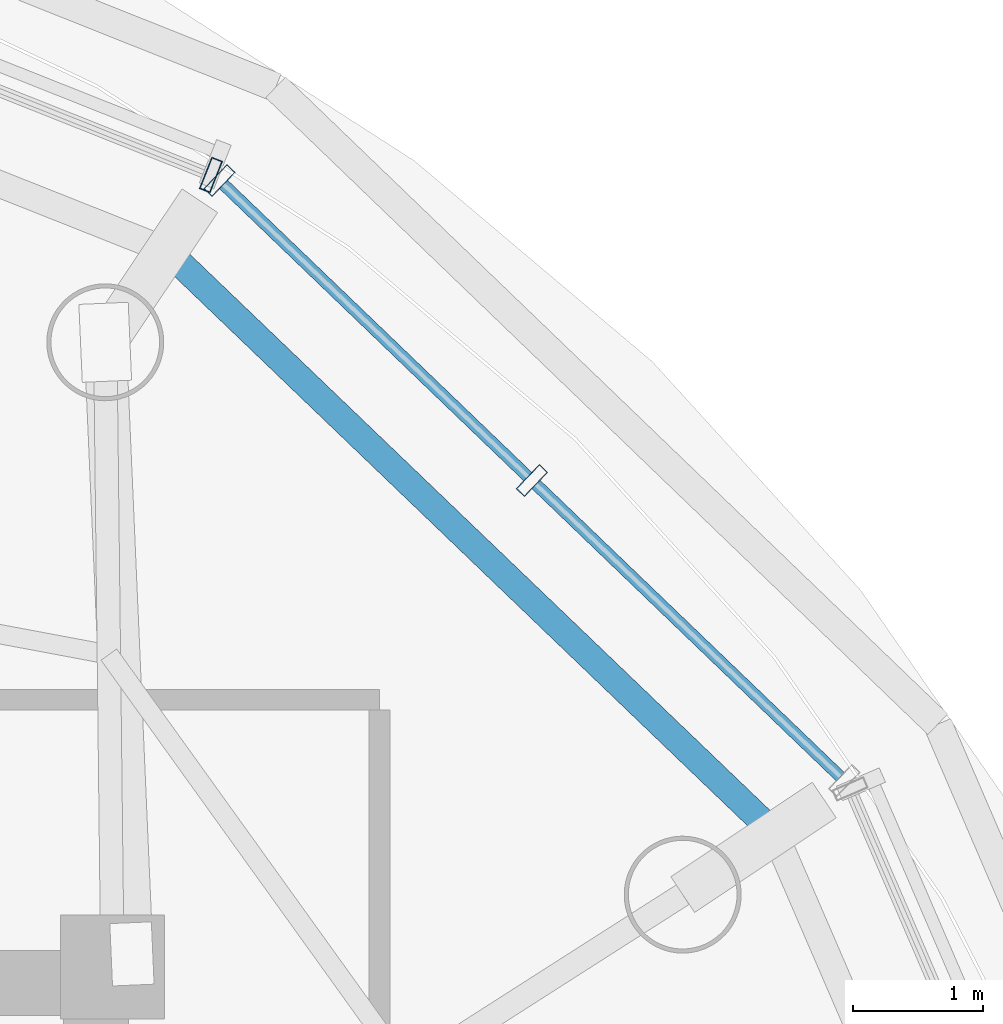
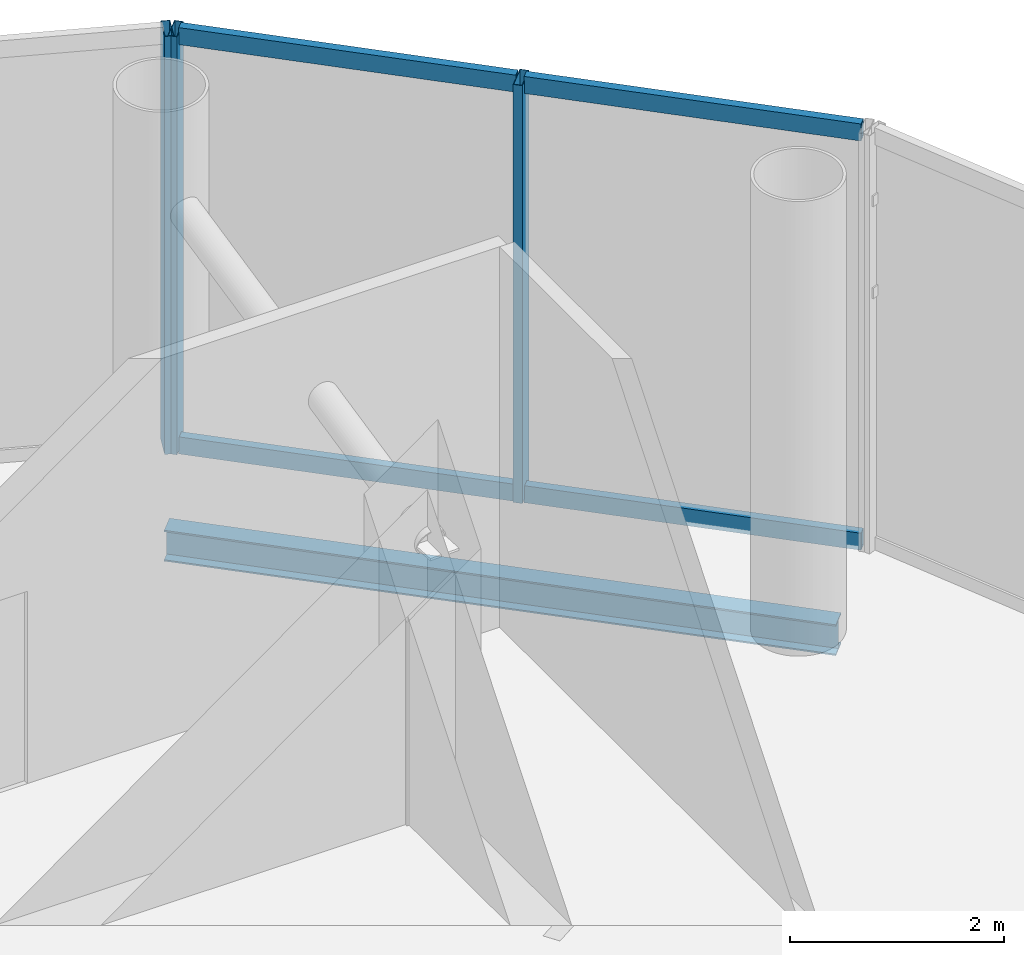
# One storey, part 7 of 15: 7 members, 1 beam, 2 elements without a shape of their own.
"""IFC4 building model written with IfcOpenShell, lengths in metres."""

from ifc_helpers import new_model, si_unit, direction, frame, origin, origin_2d, place, context, subcontext, project, spatial, hollow_rectangle, i_section, extrude, source, transform, mapped, material, material_profile, profile_set, type_object, element, aggregate, save


model = new_model("IFC4")

# Units and contexts
model_context = context("Model", 3, precision=1e-05, world=origin(), true_north=direction((-0.2419218956, 0.970295726276)))
body_context = subcontext(model_context, "Body", "Model", "MODEL_VIEW")
ifc_project = project(units=[si_unit("LENGTHUNIT", "METRE"), si_unit("AREAUNIT", "SQUARE_METRE"), si_unit("VOLUMEUNIT", "CUBIC_METRE"), si_unit("PLANEANGLEUNIT", "RADIAN"), si_unit("MASSUNIT", "GRAM", prefix="KILO")], contexts=[model_context])

# Site, building, storey
site_placement = place(None, origin())
site = spatial("IfcSite", under=ifc_project, at=site_placement, CompositionType="ELEMENT")
building_placement = place(site_placement, origin())
building = spatial("IfcBuilding", under=site, at=building_placement, Name="Cobrevalo Terracotta Tower", CompositionType="ELEMENT")
storey_placement = place(building_placement, frame((0.0, 0.0, 306.10009765625)))
storey = spatial("IfcBuildingStorey", under=building, at=storey_placement, Name="L80", CompositionType="ELEMENT", Elevation=306.10009765625)

# Beam
ifc_material_1 = material(Name="Steel S355", Category="steel")
ifc_material_profile_1 = material_profile(ifc_material_1, i_section(OverallWidth=0.205078125, OverallDepth=0.35400390625, WebThickness=0.009521484375, FlangeThickness=0.016845703125, at=origin_2d()), Name="W 360x79")
ifc_profile_set_1 = profile_set([ifc_material_profile_1], Name="Steel S355")
beam_type = type_object("IfcBeamType", Name="Structural Spandrel W 360x79 (Steel S355)", PredefinedType="SPANDREL", material=ifc_profile_set_1)
beam_placement = place(storey_placement, frame((52.093505859375, 35.828125, -0.59716796875), z_axis=(-0.721872886551, 0.69202567558, 0.0), x_axis=(-0.69202567558, -0.721872886551, 0.0)))
element("IfcBeam", 1, at=beam_placement, inside=storey, type_object=beam_type, Name="L80 perimeter ring spandrel 02", PredefinedType="SPANDREL", context=body_context, shape_type="SweptSolid", body=[
    extrude(i_section(OverallWidth=0.205078125, OverallDepth=0.35400390625, WebThickness=0.009521484375, FlangeThickness=0.016845703125, at=origin_2d()), origin(), (0.0, 0.0, 1.0), 6.478271484375),
])

# Curtain wall, members
ifc_material_2 = material(Name="Anodized aluminium", Category="aluminium")
curtain_wall_type = type_object("IfcCurtainWallType", Name="Faceted glass-point crown structural glazing system CW-CR", PredefinedType="NOTDEFINED", material=ifc_material_2)
curtain_wall_1_placement = place(storey_placement, origin())
curtain_wall_1 = element("IfcCurtainWall", 2, at=curtain_wall_1_placement, inside=storey, type_object=curtain_wall_type, Name="L80 curtain wall CW-CRN-L80-S02", PredefinedType="NOTDEFINED")
ifc_material_profile_2 = material_profile(ifc_material_2, hollow_rectangle(XDim=0.090087890625, YDim=0.260009765625, WallThickness=0.006103515625, at=origin_2d()), Name="CWM 90x260")
ifc_profile_set_2 = profile_set([ifc_material_profile_2], Name="Anodized aluminium")
member_type_1 = type_object("IfcMemberType", Name="Crown structural glass mullion 90x260", PredefinedType="MULLION", material=ifc_profile_set_2)
shared_shape_1 = source(origin(), body_context, "Body", "SweptSolid", [
    extrude(hollow_rectangle(XDim=0.090087890625, YDim=0.260009765625, WallThickness=0.006103515625, at=origin_2d()), origin(), (0.0, 0.0, 1.0), 4.77978515625),
])
member_1_placement = place(storey_placement, frame((50.226806640625, 38.541259765625, 0.0), z_axis=(0.0, 0.0, 1.0), x_axis=(-0.721276845158, 0.692646888854, 0.0)))
member_1 = element("IfcMember", 3, at=member_1_placement, type_object=member_type_1, Name="CW-CRN-L80-S02 vertical mullion 02", PredefinedType="MULLION", context=body_context, shape_type="MappedRepresentation", body=[
    mapped(shared_shape_1, transform((0.0, 0.0, 0.0), scale=1.0)),
])
member_2_placement = place(storey_placement, frame((47.823486328125, 40.84912109375, 0.0), z_axis=(0.0, 0.0, 1.0), x_axis=(-0.721276845158, 0.692646888854, 0.0)))
member_2 = element("IfcMember", 4, at=member_2_placement, type_object=member_type_1, Name="CW-CRN-L80-S02 vertical mullion 03", PredefinedType="MULLION", context=body_context, shape_type="MappedRepresentation", body=[
    mapped(shared_shape_1, transform((0.0, 0.0, 0.0), scale=1.0)),
])

# Curtain wall, member
curtain_wall_2_placement = place(storey_placement, origin())
curtain_wall_2 = element("IfcCurtainWall", 5, at=curtain_wall_2_placement, inside=storey, type_object=curtain_wall_type, Name="L80 curtain wall CW-CRN-L80-S03", PredefinedType="NOTDEFINED")
member_3_placement = place(storey_placement, frame((47.757568359375, 40.8916015625, 0.0), z_axis=(0.0, 0.0, 1.0), x_axis=(-0.929190639756, 0.36960080491, 0.0)))
member_3 = element("IfcMember", 6, at=member_3_placement, type_object=member_type_1, Name="CW-CRN-L80-S03 vertical mullion 01", PredefinedType="MULLION", context=body_context, shape_type="MappedRepresentation", body=[
    mapped(shared_shape_1, transform((0.0, 0.0, 0.0), scale=1.0)),
])
aggregate(curtain_wall_2, [member_3])

# Member
ifc_material_profile_3 = material_profile(ifc_material_2, hollow_rectangle(XDim=0.090087890625, YDim=0.195068359375, WallThickness=0.005615234375, at=origin_2d()), Name="CWT 90x195")
ifc_profile_set_3 = profile_set([ifc_material_profile_3], Name="Anodized aluminium")
member_type_2 = type_object("IfcMemberType", Name="Crown structural aluminium transom 90x195", PredefinedType="USERDEFINED", material=ifc_profile_set_3)
shared_shape_2 = source(origin(), body_context, "Body", "SweptSolid", [
    extrude(hollow_rectangle(XDim=0.090087890625, YDim=0.195068359375, WallThickness=0.005615234375, at=origin_2d()), origin(), (0.0, 0.0, 1.0), 3.251953125),
])
member_4_placement = place(storey_placement, frame((52.60107421875, 36.26123046875, 0.0498046875), z_axis=(-0.721264285966, 0.692659966932, 0.0), x_axis=(-0.692659966932, -0.721264285966, 0.0)))
member_4 = element("IfcMember", 7, at=member_4_placement, type_object=member_type_2, Name="CW-CRN-L80-S02 transom B01-T1", ObjectType="TRANSOM", PredefinedType="USERDEFINED", context=body_context, shape_type="MappedRepresentation", body=[
    mapped(shared_shape_2, transform((0.0, 0.0, 0.0), scale=1.0)),
])

member_5_placement = place(storey_placement, frame((52.60107421875, 36.26123046875, 4.72998046875), z_axis=(-0.721264285966, 0.692659966932, 0.0), x_axis=(-0.692659966932, -0.721264285966, 0.0)))
member_5 = element("IfcMember", 8, at=member_5_placement, type_object=member_type_2, Name="CW-CRN-L80-S02 transom B01-T2", ObjectType="TRANSOM", PredefinedType="USERDEFINED", context=body_context, shape_type="MappedRepresentation", body=[
    mapped(shared_shape_2, transform((0.0, 0.0, 0.0), scale=1.0)),
])

member_6_placement = place(storey_placement, frame((50.197998046875, 38.569091796875, 0.0498046875), z_axis=(-0.721337809763, 0.692583398737, 0.0), x_axis=(-0.692583398737, -0.721337809763, 0.0)))
member_6 = element("IfcMember", 9, at=member_6_placement, type_object=member_type_2, Name="CW-CRN-L80-S02 transom B02-T1", ObjectType="TRANSOM", PredefinedType="USERDEFINED", context=body_context, shape_type="MappedRepresentation", body=[
    mapped(shared_shape_2, transform((0.0, 0.0, 0.0), scale=1.0)),
])

member_7_placement = place(storey_placement, frame((50.197998046875, 38.569091796875, 4.72998046875), z_axis=(-0.721337809763, 0.692583398737, 0.0), x_axis=(-0.692583398737, -0.721337809763, 0.0)))
member_7 = element("IfcMember", 10, at=member_7_placement, type_object=member_type_2, Name="CW-CRN-L80-S02 transom B02-T2", ObjectType="TRANSOM", PredefinedType="USERDEFINED", context=body_context, shape_type="MappedRepresentation", body=[
    mapped(shared_shape_2, transform((0.0, 0.0, 0.0), scale=1.0)),
])

aggregate(curtain_wall_1, [member_1, member_2, member_4, member_5, member_6, member_7])

save(model, "model.ifc")
